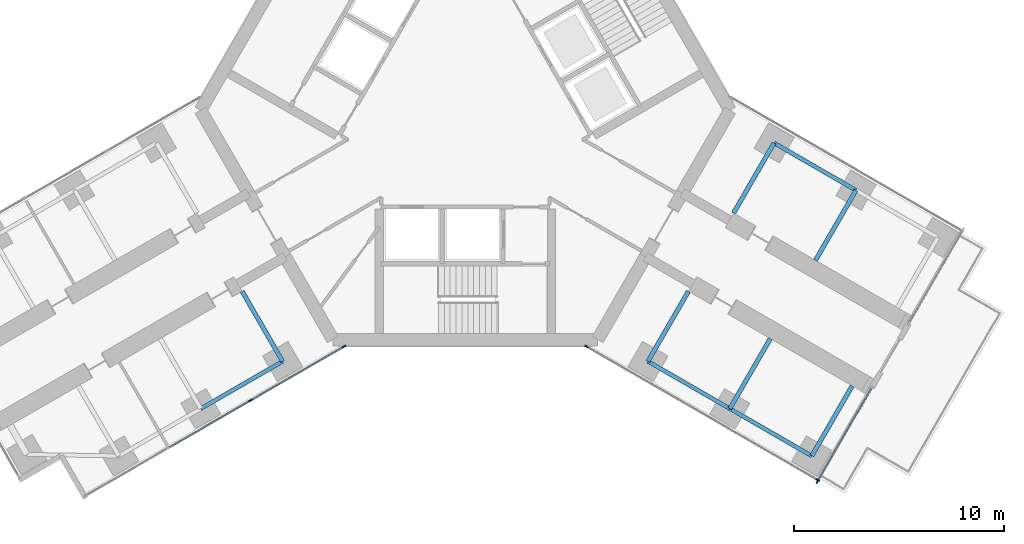
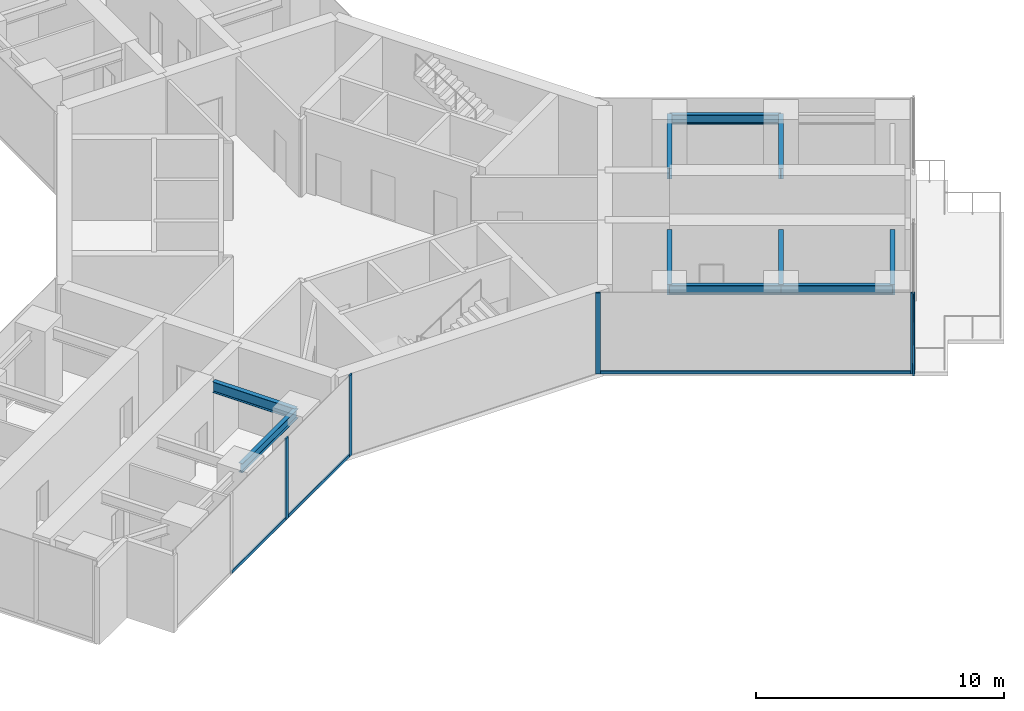
# One storey, part 8 of 22: 10 beams, 9 members, 3 elements without a shape of their own.
"""IFC4 building model written with IfcOpenShell, lengths in metres."""

import ifcopenshell
import ifcopenshell.guid

model = None  # the IFC model being written
_history = None  # IfcOwnerHistory: only IFC2X3 demands one
_inside = {}  # id of a spatial element -> (the spatial element, [elements in it])
_under = {}  # id of a project, library or spatial element -> (it, [spatial elements below it])
_declared = {}  # id of a project -> (the project, [libraries it declares])
_typed = {}  # id of a type object -> (the type object, [elements of that type])
_made_of = {}  # id of a material, layer set ... -> (it, [elements and type objects made of it])


def new_model(schema):
    """Start an empty IFC model of exactly this schema.

    Asked for "IFC4X3", IfcOpenShell would pick the latest addendum, in which some entities
    have other attributes; the version numbers below select the first issue.
    IFC2X3 requires an IfcOwnerHistory on every rooted entity: one is made here for all.
    """
    global model, _history
    if schema == "IFC4X3":
        model = ifcopenshell.file(schema_version=(4, 3, 0, 0))
    else:
        model = ifcopenshell.file(schema=schema)
    _inside.clear()
    _under.clear()
    _declared.clear()
    _typed.clear()
    _made_of.clear()
    _history = None
    if model.schema == "IFC2X3":
        org = make("IfcOrganization", Name="unknown")
        user = make(
            "IfcPersonAndOrganization",
            ThePerson=make("IfcPerson", FamilyName="unknown"),
            TheOrganization=org,
        )
        app = make(
            "IfcApplication",
            ApplicationDeveloper=org,
            Version="unknown",
            ApplicationFullName="unknown",
            ApplicationIdentifier="unknown",
        )
        _history = make(
            "IfcOwnerHistory",
            OwningUser=user,
            OwningApplication=app,
            ChangeAction="ADDED",
            CreationDate=0,
        )
    return model


def make(cls, **values):
    """One entity of the class cls with the attributes given. An attribute that is None is left unset."""
    return model.create_entity(
        cls, **{name: value for name, value in values.items() if value is not None}
    )


def rooted(cls, **values):
    """An entity with a GlobalId (a new one), such as an element, a storey or a relation."""
    return make(cls, GlobalId=ifcopenshell.guid.new(), OwnerHistory=_history, **values)


def si_unit(unit_type, name, prefix=None):
    """IfcSIUnit, for example si_unit("LENGTHUNIT", "METRE", prefix="MILLI")."""
    return make("IfcSIUnit", UnitType=unit_type, Prefix=prefix, Name=name)


def assignment(units):
    """IfcUnitAssignment: the units of a project."""
    return None if units is None else make("IfcUnitAssignment", Units=units)


def point(xyz):
    """IfcCartesianPoint."""
    return None if xyz is None else make("IfcCartesianPoint", Coordinates=xyz)


def direction(xyz):
    """IfcDirection."""
    return None if xyz is None else make("IfcDirection", DirectionRatios=xyz)


def frame(location, z_axis=None, x_axis=None):
    """IfcAxis2Placement3D, a coordinate frame: its origin and axes. An axis left out is left unset."""
    return make(
        "IfcAxis2Placement3D",
        Location=point(location),
        Axis=direction(z_axis),
        RefDirection=direction(x_axis),
    )


def frame_2d(location, x_axis=None):
    """IfcAxis2Placement2D, a coordinate frame in the plane: its origin and x axis."""
    return make(
        "IfcAxis2Placement2D", Location=point(location), RefDirection=direction(x_axis)
    )


def origin():
    """The frame at (0, 0, 0) with its axes left unset."""
    return frame((0.0, 0.0, 0.0))


def origin_2d():
    """The frame at (0, 0) in the plane with its x axis left unset."""
    return frame_2d((0.0, 0.0))


def place(relative_to, where):
    """IfcLocalPlacement: puts the frame where relative to a parent placement (None: the world)."""
    return make(
        "IfcLocalPlacement", PlacementRelTo=relative_to, RelativePlacement=where
    )


def context(
    kind, dimensions, precision=None, world=None, true_north=None, identifier=None
):
    """IfcGeometricRepresentationContext, for example the 3D "Model" context."""
    return make(
        "IfcGeometricRepresentationContext",
        ContextIdentifier=identifier,
        ContextType=kind,
        CoordinateSpaceDimension=dimensions,
        Precision=precision,
        WorldCoordinateSystem=world,
        TrueNorth=true_north,
    )


def subcontext(parent, identifier, kind, view, scale=None):
    """IfcGeometricRepresentationSubContext, for example "Body" below "Model"."""
    return make(
        "IfcGeometricRepresentationSubContext",
        ContextIdentifier=identifier,
        ContextType=kind,
        ParentContext=parent,
        TargetScale=scale,
        TargetView=view,
    )


def project(units=None, contexts=None):
    """IfcProject with its units and contexts."""
    return rooted(
        "IfcProject",
        Name="project",
        RepresentationContexts=contexts,
        UnitsInContext=assignment(units),
    )


def spatial(cls, under=None, at=None, **own):
    """A site, building, storey or space (cls), placed at a placement, below another one or the project."""
    s = rooted(cls, ObjectPlacement=at, **own)
    if under is not None:
        _under.setdefault(under.id(), (under, []))[1].append(s)
    return s


def profile(cls, at=None, kind="AREA", **sizes):
    """A parametric profile (cls). Its sizes go by their IFC names, for example OverallWidth=200.0."""
    return make(cls, ProfileType=kind, Position=at, **sizes)


def rectangle(**sizes):
    """IfcRectangleProfileDef."""
    return profile("IfcRectangleProfileDef", **sizes)


def i_section(**sizes):
    """IfcIShapeProfileDef."""
    return profile("IfcIShapeProfileDef", **sizes)


def extrude(swept, where, along, depth):
    """IfcExtrudedAreaSolid: the profile swept, set in the frame where, extruded along a direction by depth."""
    return make(
        "IfcExtrudedAreaSolid",
        SweptArea=swept,
        Position=where,
        ExtrudedDirection=direction(along),
        Depth=depth,
    )


def shape(context_of_items, identifier, shape_type, items):
    """IfcShapeRepresentation: the items that make up one representation, for example the "Body"."""
    return make(
        "IfcShapeRepresentation",
        ContextOfItems=context_of_items,
        RepresentationIdentifier=identifier,
        RepresentationType=shape_type,
        Items=items,
    )


def material(Name=None, Category=None):
    """IfcMaterial."""
    return make("IfcMaterial", Name=Name, Category=Category)


def material_profile(
    of_material, cross_section, Name=None, Category=None, Priority=None
):
    """IfcMaterialProfile: a cross section and its material."""
    return make(
        "IfcMaterialProfile",
        Name=Name,
        Material=of_material,
        Profile=cross_section,
        Priority=Priority,
        Category=Category,
    )


def profile_set(profiles, Name=None, composite=None):
    """IfcMaterialProfileSet."""
    return make(
        "IfcMaterialProfileSet",
        Name=Name,
        MaterialProfiles=profiles,
        CompositeProfile=composite,
    )


def made_of(thing, what):
    """Note that an element or type object is made of a material, layer set ...; save() writes the relation."""
    if what is not None:
        _made_of.setdefault(what.id(), (what, []))[1].append(thing)
    return thing


def type_object(cls, material=None, **own):
    """A type object (cls), such as IfcWallType, which elements share."""
    return made_of(rooted(cls, **own), material)


def element(
    cls,
    number,
    at=None,
    inside=None,
    cuts=None,
    type_object=None,
    material=None,
    context=None,
    identifier="Body",
    shape_type=None,
    held_by="IfcProductDefinitionShape",
    body=None,
    shapes=None,
    **own,
):
    """One element of the class cls, such as IfcWall. Its Tag is "e" and its number.

    at: its placement. inside: the storey or other place that contains it. cuts: it is an
    opening in that element (IfcRelVoidsElement). A single representation is given by context,
    identifier, shape_type and body (its items); several are given by shapes. held_by: the class
    of the entity that holds the representations. save() writes the other relations.
    """
    e = rooted(cls, Tag="e%d" % number, ObjectPlacement=at, **own)
    if body is not None:
        shapes = [shape(context, identifier, shape_type, body)]
    if shapes is not None:
        e.Representation = make(held_by, Representations=shapes)
    if inside is not None:
        _inside.setdefault(inside.id(), (inside, []))[1].append(e)
    if cuts is not None:
        rooted(
            "IfcRelVoidsElement", RelatingBuildingElement=cuts, RelatedOpeningElement=e
        )
    if type_object is not None:
        _typed.setdefault(type_object.id(), (type_object, []))[1].append(e)
    return made_of(e, material)


def aggregate(whole, parts):
    """IfcRelAggregates: a whole, such as a stair, and the parts it consists of."""
    return rooted("IfcRelAggregates", RelatingObject=whole, RelatedObjects=parts)


def save(model, path):
    """Write the relations noted so far, then the file.

    IfcRelAggregates (storeys below a building ...), IfcRelContainedInSpatialStructure (elements
    in a storey), IfcRelDefinesByType, IfcRelAssociatesMaterial and IfcRelDeclares: one each for
    every whole, place, type object, material and project.
    """
    for whole, parts in _under.values():
        aggregate(whole, parts)
    for where, things in _inside.values():
        rooted(
            "IfcRelContainedInSpatialStructure",
            RelatedElements=things,
            RelatingStructure=where,
        )
    for kind, things in _typed.values():
        rooted("IfcRelDefinesByType", RelatedObjects=things, RelatingType=kind)
    for what, things in _made_of.values():
        rooted("IfcRelAssociatesMaterial", RelatedObjects=things, RelatingMaterial=what)
    for by, libraries in _declared.values():
        rooted("IfcRelDeclares", RelatingContext=by, RelatedDefinitions=libraries)
    model.write(path)


model = new_model("IFC4")

# Units and contexts
model_context = context("Model", 3, precision=1e-05, world=origin(), true_north=direction((0.0, 1.0)))
body_context = subcontext(model_context, "Body", "Model", "MODEL_VIEW")
ifc_project = project(units=[si_unit("LENGTHUNIT", "METRE"), si_unit("AREAUNIT", "SQUARE_METRE"), si_unit("VOLUMEUNIT", "CUBIC_METRE"), si_unit("PLANEANGLEUNIT", "RADIAN"), si_unit("MASSUNIT", "GRAM", prefix="KILO")], contexts=[model_context])

# Site, building, storey
site_placement = place(None, origin())
site = spatial("IfcSite", under=ifc_project, at=site_placement, CompositionType="ELEMENT")
building_placement = place(site_placement, origin())
building = spatial("IfcBuilding", under=site, at=building_placement, Name="Upepo Twin Towers", CompositionType="ELEMENT")
storey_placement = place(building_placement, frame((0.0, 0.0, 97.5)))
storey = spatial("IfcBuildingStorey", under=building, at=storey_placement, Name="L23", CompositionType="ELEMENT", Elevation=97.5)

# Beams
ifc_material_1 = material(Name="Steel S355", Category="steel")
ifc_material_profile_1 = material_profile(ifc_material_1, i_section(OverallWidth=0.1904296875, OverallDepth=0.45703125, WebThickness=0.009033203125, FlangeThickness=0.014404296875, FilletRadius=0.01025390625, at=origin_2d()), Name="UB 457x191x74")
ifc_profile_set_1 = profile_set([ifc_material_profile_1], Name="Steel S355")
beam_type_1 = type_object("IfcBeamType", Name="Beam UB 457x191x74", PredefinedType="BEAM", material=ifc_profile_set_1)
for number, where, z_axis, x_axis, name in (
    (1, (49.80859375, -29.946044921875, 3.571533203125), (-0.866017533419, -0.500013631625, 0.0), (0.500013631625, -0.866017533419, 0.0), "T2 edge beam BL 13.5-18.0"),
    (2, (73.19140625, -19.553955078125, 3.571533203125), (0.866017533419, -0.500013631625, 0.0), (0.500013631625, 0.866017533419, 0.0), "T2 edge beam CL 13.5-18.0"),
    (3, (67.19140625, -29.946044921875, 3.571533203125), (0.866017533419, -0.500013631625, 0.0), (0.500013631625, 0.866017533419, 0.0), "T2 edge beam CR 13.5-18.0"),
):
    element("IfcBeam", number, at=place(storey_placement, frame(where, z_axis=z_axis, x_axis=x_axis)), inside=storey, type_object=beam_type_1, Name=name, PredefinedType="BEAM", context=body_context, shape_type="SweptSolid", body=[
        extrude(i_section(OverallWidth=0.1904296875, OverallDepth=0.45703125, WebThickness=0.009033203125, FlangeThickness=0.014404296875, FilletRadius=0.01025390625, at=origin_2d()), origin(), (0.0, 0.0, 1.0), 4.499755859375),
    ])
beam_1_placement = place(storey_placement, frame((71.08837890625, -32.196044921875, 3.571533203125), z_axis=(0.866031096941, -0.499990139034, 0.0), x_axis=(0.499990139034, 0.866031096941, 0.0)))
element("IfcBeam", 4, at=beam_1_placement, inside=storey, type_object=beam_type_1, Name="T2 edge beam CR 18.0-22.5", PredefinedType="BEAM", context=body_context, shape_type="SweptSolid", body=[
    extrude(i_section(OverallWidth=0.1904296875, OverallDepth=0.45703125, WebThickness=0.009033203125, FlangeThickness=0.014404296875, FilletRadius=0.01025390625, at=origin_2d()), origin(), (0.0, 0.0, 1.0), 4.5),
])
ifc_material_2 = material(Name="Steel S355", Category="steel")
ifc_material_profile_2 = material_profile(ifc_material_2, i_section(OverallWidth=0.209228515625, OverallDepth=0.533203125, WebThickness=0.010009765625, FlangeThickness=0.015625, FilletRadius=0.0126953125, at=origin_2d()), Name="UB 533x210x92")
ifc_profile_set_2 = profile_set([ifc_material_profile_2], Name="Steel S355")
beam_type_2 = type_object("IfcBeamType", Name="Beam UB 533x210x92", PredefinedType="BEAM", material=ifc_profile_set_2)
for number, where, z_axis, x_axis, name in (
    (5, (49.80859375, -29.946044921875, 3.533447265625), (-0.500033517596, 0.866006051527, 0.0), (-0.866006051527, -0.500033517596, 0.0), "T2 girder BL at 13.5"),
    (6, (73.19140625, -19.553955078125, 3.533447265625), (-0.500033517596, -0.866006051527, 0.0), (0.866006051527, -0.500033517596, 0.0), "T2 girder CL at 13.5"),
):
    element("IfcBeam", number, at=place(storey_placement, frame(where, z_axis=z_axis, x_axis=x_axis)), inside=storey, type_object=beam_type_2, Name=name, PredefinedType="BEAM", context=body_context, shape_type="SweptSolid", body=[
        extrude(i_section(OverallWidth=0.209228515625, OverallDepth=0.533203125, WebThickness=0.010009765625, FlangeThickness=0.015625, FilletRadius=0.0126953125, at=origin_2d()), origin(), (0.0, 0.0, 1.0), 3.849853515625),
    ])
beam_2_placement = place(storey_placement, frame((77.08837890625, -21.803955078125, 3.533447265625), z_axis=(-0.499985955615, -0.866033512162, 0.0), x_axis=(0.866033512162, -0.499985955615, 0.0)))
element("IfcBeam", 7, at=beam_2_placement, inside=storey, type_object=beam_type_2, Name="T2 girder CL at 18.0", PredefinedType="BEAM", context=body_context, shape_type="SweptSolid", body=[
    extrude(i_section(OverallWidth=0.209228515625, OverallDepth=0.533203125, WebThickness=0.010009765625, FlangeThickness=0.015625, FilletRadius=0.0126953125, at=origin_2d()), origin(), (0.0, 0.0, 1.0), 3.849609375),
])
for number, where, z_axis, x_axis, name in (
    (8, (67.19140625, -29.946044921875, 3.533447265625), (0.500033517596, 0.866006051527, 0.0), (-0.866006051527, 0.500033517596, 0.0), "T2 girder CR at 13.5"),
    (9, (71.08837890625, -32.196044921875, 3.533447265625), (0.500033517596, 0.866006051527, 0.0), (-0.866006051527, 0.500033517596, 0.0), "T2 girder CR at 18.0"),
    (10, (74.985595703125, -34.446044921875, 3.533447265625), (0.500033517596, 0.866006051527, 0.0), (-0.866006051527, 0.500033517596, 0.0), "T2 girder CR at 22.5"),
):
    element("IfcBeam", number, at=place(storey_placement, frame(where, z_axis=z_axis, x_axis=x_axis)), inside=storey, type_object=beam_type_2, Name=name, PredefinedType="BEAM", context=body_context, shape_type="SweptSolid", body=[
        extrude(i_section(OverallWidth=0.209228515625, OverallDepth=0.533203125, WebThickness=0.010009765625, FlangeThickness=0.015625, FilletRadius=0.0126953125, at=origin_2d()), origin(), (0.0, 0.0, 1.0), 3.849853515625),
    ])

# Curtain wall, members
ifc_material_3 = material(Name="Aluminium and fritted glass", Category="aluminium")
curtain_wall_type = type_object("IfcCurtainWallType", Name="Tower curtain wall TW2, fritted glass", PredefinedType="NOTDEFINED", material=ifc_material_3)
curtain_wall_1_placement = place(storey_placement, origin())
curtain_wall_1 = element("IfcCurtainWall", 11, at=curtain_wall_1_placement, inside=storey, type_object=curtain_wall_type, Name="T2 L23 wing B flank L curtain wall", PredefinedType="NOTDEFINED")
ifc_material_4 = material(Name="Aluminium mullion", Category="aluminium")
ifc_material_profile_3 = material_profile(ifc_material_4, rectangle(XDim=0.06494140625, YDim=0.199951171875, at=origin_2d()), Name="MULLION 65x200")
ifc_profile_set_3 = profile_set([ifc_material_profile_3], Name="Aluminium mullion")
member_type_1 = type_object("IfcMemberType", Name="Mullion 65x200 TW2", PredefinedType="MULLION", material=ifc_profile_set_3)
member_1_placement = place(storey_placement, frame((52.72802734375, -29.2421875, 0.0), z_axis=(0.0, 0.0, 1.0), x_axis=(0.500000010308, -0.866025397833, 0.0)))
member_1 = element("IfcMember", 12, at=member_1_placement, type_object=member_type_1, Name="T2 L23 wing B flank L curtain wall mullion 1", PredefinedType="MULLION", context=body_context, shape_type="SweptSolid", body=[
    extrude(rectangle(XDim=0.06494140625, YDim=0.199951171875, at=origin_2d()), origin(), (0.0, 0.0, 1.0), 4.0),
])
member_2_placement = place(storey_placement, frame((48.28515625, -31.807373046875, 0.0), z_axis=(0.0, 0.0, 1.0), x_axis=(0.500000010308, -0.866025397833, 0.0)))
member_2 = element("IfcMember", 13, at=member_2_placement, type_object=member_type_1, Name="T2 L23 wing B flank L curtain wall mullion 2", PredefinedType="MULLION", context=body_context, shape_type="SweptSolid", body=[
    extrude(rectangle(XDim=0.06494140625, YDim=0.199951171875, at=origin_2d()), origin(), (0.0, 0.0, 1.0), 4.0),
])

curtain_wall_2_placement = place(storey_placement, origin())
curtain_wall_2 = element("IfcCurtainWall", 14, at=curtain_wall_2_placement, inside=storey, type_object=curtain_wall_type, Name="T2 L23 wing C flank R curtain wall", PredefinedType="NOTDEFINED")
member_3_placement = place(storey_placement, frame((75.2685546875, -35.591064453125, 0.0), z_axis=(0.0, 0.0, 1.0), x_axis=(-0.50000000792, -0.866025399212, 0.0)))
member_3 = element("IfcMember", 15, at=member_3_placement, type_object=member_type_1, Name="T2 L23 wing C flank R curtain wall mullion 1", PredefinedType="MULLION", context=body_context, shape_type="SweptSolid", body=[
    extrude(rectangle(XDim=0.06494140625, YDim=0.199951171875, at=origin_2d()), origin(), (0.0, 0.0, 1.0), 4.0),
])
member_4_placement = place(storey_placement, frame((64.27197265625, -29.2421875, 0.0), z_axis=(0.0, 0.0, 1.0), x_axis=(-0.50000000792, -0.866025399212, 0.0)))
member_4 = element("IfcMember", 16, at=member_4_placement, type_object=member_type_1, Name="T2 L23 wing C flank R curtain wall mullion 2", PredefinedType="MULLION", context=body_context, shape_type="SweptSolid", body=[
    extrude(rectangle(XDim=0.06494140625, YDim=0.199951171875, at=origin_2d()), origin(), (0.0, 0.0, 1.0), 4.0),
])

# Curtain wall, member
curtain_wall_3_placement = place(storey_placement, origin())
curtain_wall_3 = element("IfcCurtainWall", 17, at=curtain_wall_3_placement, inside=storey, type_object=curtain_wall_type, Name="T2 L23 wing C nose curtain wall 0", PredefinedType="NOTDEFINED")
member_5_placement = place(storey_placement, frame((75.262939453125, -35.665771484375, 0.0), z_axis=(0.0, 0.0, 1.0), x_axis=(-0.866025447069, 0.49999992503, 0.0)))
member_5 = element("IfcMember", 18, at=member_5_placement, type_object=member_type_1, Name="T2 L23 wing C nose curtain wall 0 mullion 1", PredefinedType="MULLION", context=body_context, shape_type="SweptSolid", body=[
    extrude(rectangle(XDim=0.06494140625, YDim=0.199951171875, at=origin_2d()), origin(), (0.0, 0.0, 1.0), 4.0),
])

# Member
ifc_material_5 = material(Name="Aluminium transom", Category="aluminium")
ifc_material_profile_4 = material_profile(ifc_material_5, rectangle(XDim=0.06494140625, YDim=0.14990234375, at=origin_2d()), Name="TRANSOM 65x150")
ifc_profile_set_4 = profile_set([ifc_material_profile_4], Name="Aluminium transom")
member_type_2 = type_object("IfcMemberType", Name="Transom 65x150 TW2", PredefinedType="USERDEFINED", material=ifc_profile_set_4)
member_6_placement = place(storey_placement, frame((52.699951171875, -29.25830078125, 0.074951171875), z_axis=(-0.866021848223, -0.500006158363, 0.0), x_axis=(0.500006158363, -0.866021848223, 0.0)))
member_6 = element("IfcMember", 19, at=member_6_placement, type_object=member_type_2, Name="T2 L23 wing B flank L curtain wall transom 1", ObjectType="TRANSOM", PredefinedType="USERDEFINED", context=body_context, shape_type="SweptSolid", body=[
    extrude(rectangle(XDim=0.06494140625, YDim=0.14990234375, at=origin_2d()), origin(), (0.0, 0.0, 1.0), 5.0654296875),
])

member_7_placement = place(storey_placement, frame((48.2568359375, -31.823486328125, 0.074951171875), z_axis=(-0.866022410713, -0.500005184116, 0.0), x_axis=(0.500005184116, -0.866022410713, 0.0)))
member_7 = element("IfcMember", 20, at=member_7_placement, type_object=member_type_2, Name="T2 L23 wing B flank L curtain wall transom 2", ObjectType="TRANSOM", PredefinedType="USERDEFINED", context=body_context, shape_type="SweptSolid", body=[
    extrude(rectangle(XDim=0.06494140625, YDim=0.14990234375, at=origin_2d()), origin(), (0.0, 0.0, 1.0), 4.43505859375),
])

aggregate(curtain_wall_1, [member_1, member_2, member_6, member_7])

member_8_placement = place(storey_placement, frame((75.240478515625, -35.57470703125, 0.074951171875), z_axis=(-0.866027247007, 0.499996807431, 0.0), x_axis=(-0.499996807431, -0.866027247007, 0.0)))
member_8 = element("IfcMember", 21, at=member_8_placement, type_object=member_type_2, Name="T2 L23 wing C flank R curtain wall transom 1", ObjectType="TRANSOM", PredefinedType="USERDEFINED", context=body_context, shape_type="SweptSolid", body=[
    extrude(rectangle(XDim=0.06494140625, YDim=0.14990234375, at=origin_2d()), origin(), (0.0, 0.0, 1.0), 12.6328125),
])

aggregate(curtain_wall_2, [member_3, member_4, member_8])

member_9_placement = place(storey_placement, frame((75.279296875, -35.6376953125, 0.074951171875), z_axis=(0.499976720371, 0.866038843867, 0.0), x_axis=(-0.866038843867, 0.499976720371, 0.0)))
member_9 = element("IfcMember", 22, at=member_9_placement, type_object=member_type_2, Name="T2 L23 wing C nose curtain wall 0 transom 1", ObjectType="TRANSOM", PredefinedType="USERDEFINED", context=body_context, shape_type="SweptSolid", body=[
    extrude(rectangle(XDim=0.06494140625, YDim=0.14990234375, at=origin_2d()), origin(), (0.0, 0.0, 1.0), 5.070068359375),
])

aggregate(curtain_wall_3, [member_5, member_9])

save(model, "model.ifc")
